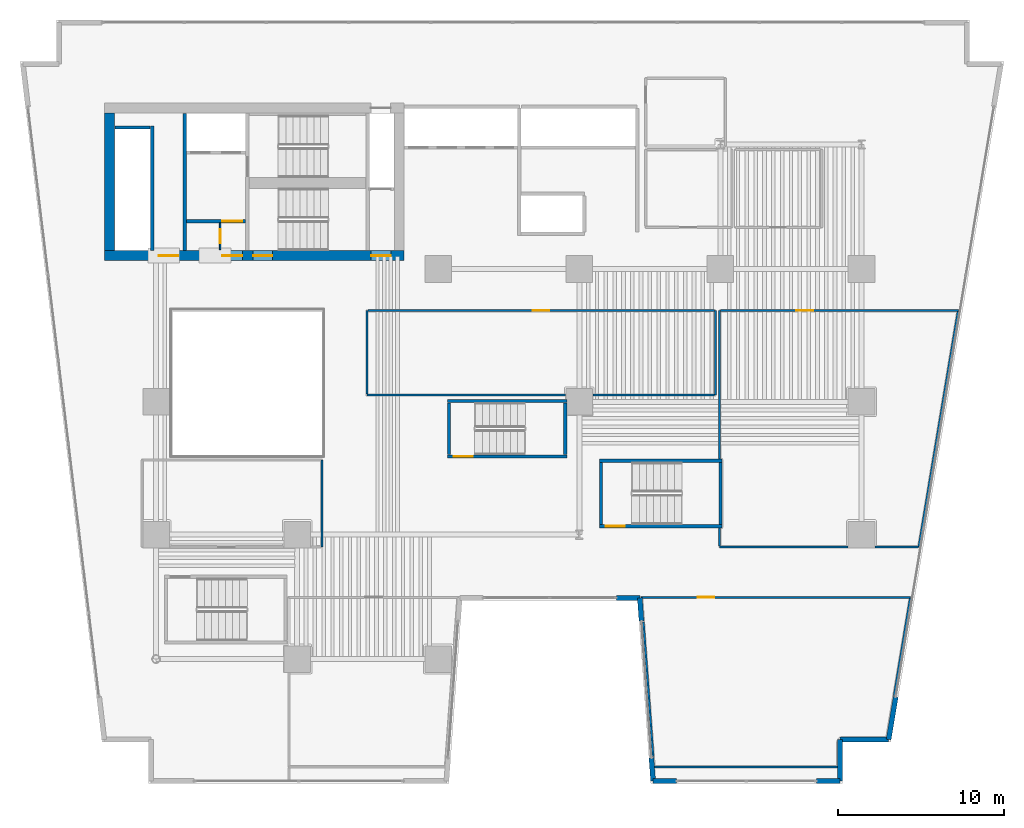
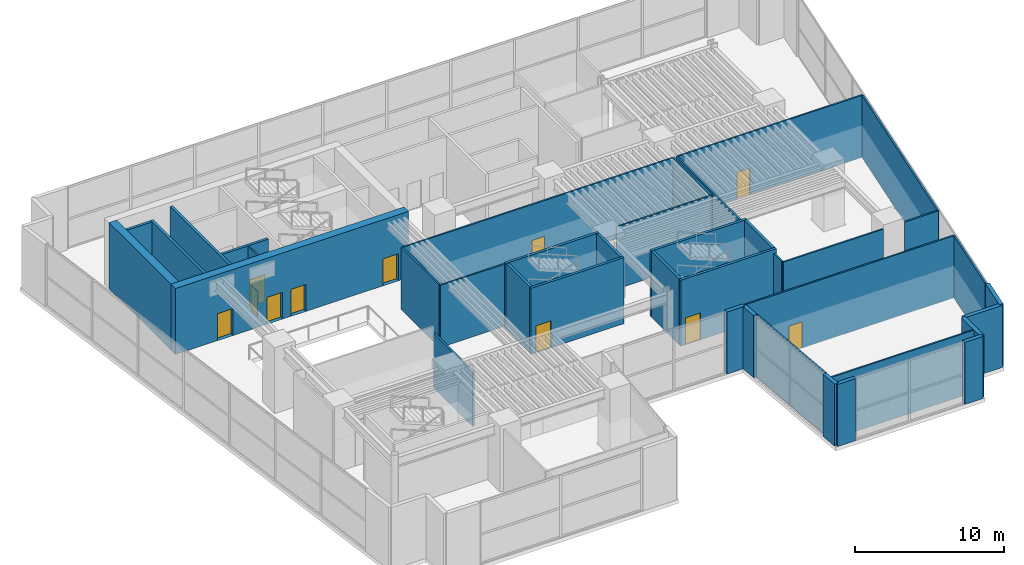
# One storey, part 9 of 16: 39 walls, 11 doors, 11 openings.
"""IFC4 building model written with IfcOpenShell, lengths in metres."""

from ifc_helpers import new_model, si_unit, direction, frame, frame_2d, origin, place, context, subcontext, project, spatial, rectangle, extrude, material, layer, layer_set, type_object, element, fill, save


model = new_model("IFC4")

# Units and contexts
model_context = context("Model", 3, precision=1e-05, world=origin(), true_north=direction((0.0, 1.0)))
body_context = subcontext(model_context, "Body", "Model", "MODEL_VIEW")
ifc_project = project(units=[si_unit("LENGTHUNIT", "METRE"), si_unit("AREAUNIT", "SQUARE_METRE"), si_unit("VOLUMEUNIT", "CUBIC_METRE"), si_unit("PLANEANGLEUNIT", "RADIAN"), si_unit("MASSUNIT", "GRAM", prefix="KILO")], contexts=[model_context])

# Site, building, storey
site_placement = place(None, origin())
site = spatial("IfcSite", under=ifc_project, at=site_placement, CompositionType="ELEMENT")
building_placement = place(site_placement, origin())
building = spatial("IfcBuilding", under=site, at=building_placement, Name="Caeloran Harvest Quay", CompositionType="ELEMENT")
storey_placement = place(building_placement, frame((0.0, 0.0, 10.800048828125)))
storey = spatial("IfcBuildingStorey", under=building, at=storey_placement, Name="L03", CompositionType="ELEMENT", Elevation=10.800048828125)

# Walls
ifc_material_1 = material(Name="Precast concrete C50/60", Category="concrete")
ifc_layer_1 = layer(ifc_material_1, 0.300048828125, Name="Precast concrete C50/60")
ifc_layer_set_1 = layer_set([ifc_layer_1], Name="Precast concrete C50/60")
wall_type_1 = type_object("IfcWallType", Name="ENV-WALL-EW-300", PredefinedType="STANDARD", material=ifc_layer_set_1)
wall_1_placement = place(storey_placement, frame((53.059814453125, 5.214599609375, 0.0), z_axis=(0.0, 0.0, 1.0), x_axis=(-0.164140117583, -0.986437033875, 0.0)))
element("IfcWall", 1, at=wall_1_placement, inside=storey, type_object=wall_type_1, Name="L03 Exterior Facade Corner Pier Wall 9B", PredefinedType="STANDARD", context=body_context, shape_type="SweptSolid", body=[
    extrude(rectangle(XDim=2.599853515625, YDim=0.300048828125, at=frame_2d((1.2998046875, 0.0))), origin(), (0.0, 0.0, 1.0), 5.079833984375),
])
wall_2_placement = place(storey_placement, frame((52.633056640625, 2.64990234375, 0.0), z_axis=(0.0, 0.0, 1.0), x_axis=(-1.0, 0.0, 0.0)))
element("IfcWall", 2, at=wall_2_placement, inside=storey, type_object=wall_type_1, Name="L03 Exterior Precast Concrete Facade Wall 10", PredefinedType="STANDARD", context=body_context, shape_type="SweptSolid", body=[
    extrude(rectangle(XDim=2.93896484375, YDim=0.300048828125, at=frame_2d((1.469482421875, 0.0))), origin(), (0.0, 0.0, 1.0), 5.079833984375),
])
wall_3_placement = place(storey_placement, frame((49.694091796875, 2.64990234375, 0.0), z_axis=(0.0, 0.0, 1.0), x_axis=(0.0, -1.0, 0.0)))
element("IfcWall", 3, at=wall_3_placement, inside=storey, type_object=wall_type_1, Name="L03 Exterior Precast Concrete Facade Wall 11", PredefinedType="STANDARD", context=body_context, shape_type="SweptSolid", body=[
    extrude(rectangle(XDim=2.5, YDim=0.300048828125, at=frame_2d((1.25, 0.0))), origin(), (0.0, 0.0, 1.0), 5.079833984375),
])
wall_4_placement = place(storey_placement, frame((49.694091796875, 0.14990234375, 0.0), z_axis=(0.0, 0.0, 1.0), x_axis=(-1.0, 0.0, 0.0)))
element("IfcWall", 4, at=wall_4_placement, inside=storey, type_object=wall_type_1, Name="L03 Exterior Facade Corner Pier Wall 12A", PredefinedType="STANDARD", context=body_context, shape_type="SweptSolid", body=[
    extrude(rectangle(XDim=1.400146484375, YDim=0.300048828125, at=frame_2d((0.7001953125, 0.0))), origin(), (0.0, 0.0, 1.0), 5.079833984375),
])
wall_5_placement = place(storey_placement, frame((39.843505859375, 0.14990234375, 0.0), z_axis=(0.0, 0.0, 1.0), x_axis=(-1.0, 0.0, 0.0)))
element("IfcWall", 5, at=wall_5_placement, inside=storey, type_object=wall_type_1, Name="L03 Exterior Facade Corner Pier Wall 12B", PredefinedType="STANDARD", context=body_context, shape_type="SweptSolid", body=[
    extrude(rectangle(XDim=1.39990234375, YDim=0.300048828125, at=frame_2d((0.699951171875, 0.0))), origin(), (0.0, 0.0, 1.0), 5.079833984375),
])
wall_6_placement = place(storey_placement, frame((38.443603515625, 0.14990234375, 0.0), z_axis=(0.0, 0.0, 1.0), x_axis=(-0.072362245244, 0.997378416381, 0.0)))
element("IfcWall", 6, at=wall_6_placement, inside=storey, type_object=wall_type_1, Name="L03 Exterior Facade Corner Pier Wall 13A", PredefinedType="STANDARD", context=body_context, shape_type="SweptSolid", body=[
    extrude(rectangle(XDim=1.400146484375, YDim=0.300048828125, at=frame_2d((0.7001953125, 0.0))), origin(), (0.0, 0.0, 1.0), 5.079833984375),
])
wall_7_placement = place(storey_placement, frame((37.74462890625, 9.793701171875, 0.0), z_axis=(0.0, 0.0, 1.0), x_axis=(-0.072201344972, 0.997390077043, 0.0)))
element("IfcWall", 7, at=wall_7_placement, inside=storey, type_object=wall_type_1, Name="L03 Exterior Facade Corner Pier Wall 13B", PredefinedType="STANDARD", context=body_context, shape_type="SweptSolid", body=[
    extrude(rectangle(XDim=1.39990234375, YDim=0.300048828125, at=frame_2d((0.699951171875, 0.0))), origin(), (0.0, 0.0, 1.0), 5.079833984375),
])
wall_8_placement = place(storey_placement, frame((37.6435546875, 11.18994140625, 0.0), z_axis=(0.0, 0.0, 1.0), x_axis=(-1.0, 0.0, 0.0)))
element("IfcWall", 8, at=wall_8_placement, inside=storey, type_object=wall_type_1, Name="L03 Exterior Facade Corner Pier Wall 14A", PredefinedType="STANDARD", context=body_context, shape_type="SweptSolid", body=[
    extrude(rectangle(XDim=1.400146484375, YDim=0.300048828125, at=frame_2d((0.7001953125, 0.0))), origin(), (0.0, 0.0, 1.0), 5.079833984375),
])

# Wall, opening, door
ifc_material_2 = material(Name="Fire-Resisting Gypsum Core Riser Partition", Category="gypsum")
ifc_layer_2 = layer(ifc_material_2, 0.10009765625, Name="Fire-Resisting Gypsum Core Riser Partition")
ifc_layer_set_2 = layer_set([ifc_layer_2], Name="Fire-Resisting Gypsum Core Riser Partition")
wall_type_2 = type_object("IfcWallType", Name="INT-WALL-PW-100", PredefinedType="PARTITIONING", material=ifc_layer_set_2)
wall_9_placement = place(storey_placement, frame((12.360107421875, 32.159912109375, 0.0), z_axis=(0.0, 0.0, 1.0), x_axis=(0.0, 1.0, 0.0)))
wall_9 = element("IfcWall", 9, at=wall_9_placement, inside=storey, type_object=wall_type_2, Name="L03 Core Store Partition Wall", PredefinedType="PARTITIONING", context=body_context, shape_type="SweptSolid", body=[
    extrude(rectangle(XDim=1.6201171875, YDim=0.10009765625, at=frame_2d((0.81005859375, 0.0))), origin(), (0.0, 0.0, 1.0), 5.079833984375),
])
opening_1_placement = place(wall_9_placement, frame((0.3798828125, 0.0, 0.0)))
opening_1 = element("IfcOpeningElement", 10, at=opening_1_placement, cuts=wall_9, Name="Opening SV-01", PredefinedType="OPENING", context=body_context, shape_type="SweptSolid", body=[
    extrude(rectangle(XDim=0.85009765625, YDim=2.10009765625, at=frame_2d((0.425048828125, 1.050048828125))), frame((0.0, 0.06005859375, 0.0), z_axis=(0.0, -1.0, 0.0), x_axis=(1.0, 0.0, 0.0)), (0.0, 0.0, 1.0), 0.1201171875),
])
ifc_material_3 = material(Name="Galvanized Painted Steel", Category="steel")
door_type_1 = type_object("IfcDoorType", Name="INTDOOR-SV-01", OperationType="NOTDEFINED", PredefinedType="DOOR", material=ifc_material_3)
door_1_placement = place(opening_1_placement, origin())
door_1 = element("IfcDoor", 11, at=door_1_placement, inside=storey, type_object=door_type_1, Name="L03 Core Service Room Access Door", OperationType="SINGLE_SWING_RIGHT", OverallHeight=2.10009765625, OverallWidth=0.85009765625, PredefinedType="DOOR", context=body_context, shape_type="SweptSolid", body=[
    extrude(rectangle(XDim=0.85009765625, YDim=2.10009765625, at=frame_2d((0.425048828125, 1.050048828125))), frame((0.0, 0.02490234375, 0.0), z_axis=(0.0, -1.0, 0.0), x_axis=(1.0, 0.0, 0.0)), (0.0, 0.0, 1.0), 0.050048828125),
])
fill(opening_1, door_1)

# Walls
ifc_material_4 = material(Name="Twin-Stud Mineral-Wool Acoustic Gypsum Partition", Category="gypsum")
ifc_layer_3 = layer(ifc_material_4, 0.125, Name="Twin-Stud Mineral-Wool Acoustic Gypsum Partition")
ifc_layer_set_3 = layer_set([ifc_layer_3], Name="Twin-Stud Mineral-Wool Acoustic Gypsum Partition")
wall_type_3 = type_object("IfcWallType", Name="INT-WALL-PW-125", PredefinedType="PARTITIONING", material=ifc_layer_set_3)
wall_10_placement = place(storey_placement, frame((18.5, 19.5, 0.0), z_axis=(0.0, 0.0, 1.0), x_axis=(0.0, -1.0, 0.0)))
element("IfcWall", 12, at=wall_10_placement, inside=storey, type_object=wall_type_3, Name="Harvest Banquet and Tasting Dining Hall Partition Wall", PredefinedType="PARTITIONING", context=body_context, shape_type="SweptSolid", body=[
    extrude(rectangle(XDim=5.25, YDim=0.125, at=frame_2d((2.625, 0.0))), origin(), (0.0, 0.0, 1.0), 4.46484375),
])
wall_11_placement = place(storey_placement, frame((49.5390625, 1.0, 0.0), z_axis=(0.0, 0.0, 1.0), x_axis=(-1.0, 0.0, 0.0)))
element("IfcWall", 13, at=wall_11_placement, inside=storey, type_object=wall_type_3, Name="Farm-to-Table Botanical Bistro Partition Wall", PredefinedType="PARTITIONING", context=body_context, shape_type="SweptSolid", body=[
    extrude(rectangle(XDim=11.001708984375, YDim=0.125, at=frame_2d((5.5009765625, 0.0))), origin(), (0.0, 0.0, 1.0), 5.079833984375),
])
wall_12_placement = place(storey_placement, frame((38.4462890625, 1.62841796875, 0.0), z_axis=(0.0, 0.0, 1.0), x_axis=(-0.072249119519, 0.99738661748, 0.0)))
element("IfcWall", 14, at=wall_12_placement, inside=storey, type_object=wall_type_3, Name="Farm-to-Table Botanical Bistro Partition Wall", PredefinedType="PARTITIONING", context=body_context, shape_type="SweptSolid", body=[
    extrude(rectangle(XDim=8.1201171875, YDim=0.125, at=frame_2d((4.06005859375, 0.0))), origin(), (0.0, 0.0, 1.0), 5.079833984375),
])

# Wall, opening, door
wall_13_placement = place(storey_placement, frame((37.718017578125, 11.219970703125, 0.0), z_axis=(0.0, 0.0, 1.0), x_axis=(1.0, 0.0, 0.0)))
wall_13 = element("IfcWall", 15, at=wall_13_placement, inside=storey, type_object=wall_type_3, Name="Farm-to-Table Botanical Bistro Partition Wall", PredefinedType="PARTITIONING", context=body_context, shape_type="SweptSolid", body=[
    extrude(rectangle(XDim=16.23486328125, YDim=0.125, at=frame_2d((8.117431640625, 0.0))), origin(), (0.0, 0.0, 1.0), 5.079833984375),
])
opening_2_placement = place(wall_13_placement, frame((3.4189453125, 0.0, 0.0)))
opening_2 = element("IfcOpeningElement", 16, at=opening_2_placement, cuts=wall_13, Name="Opening ID-01", PredefinedType="OPENING", context=body_context, shape_type="SweptSolid", body=[
    extrude(rectangle(XDim=1.0, YDim=2.14990234375, at=frame_2d((0.5, 1.074951171875))), frame((0.0, 0.072509765625, 0.0), z_axis=(0.0, -1.0, 0.0), x_axis=(1.0, 0.0, 0.0)), (0.0, 0.0, 1.0), 0.14501953125),
])
ifc_material_5 = material(Name="FSC Solid-Core Ash Timber and Acoustic Seal", Category="wood")
door_type_2 = type_object("IfcDoorType", Name="INTDOOR-ID-01", OperationType="NOTDEFINED", PredefinedType="DOOR", material=ifc_material_5)
door_2_placement = place(opening_2_placement, origin())
door_2 = element("IfcDoor", 17, at=door_2_placement, inside=storey, type_object=door_type_2, Name="Farm-to-Table Botanical Bistro Access Door", OperationType="SINGLE_SWING_LEFT", OverallHeight=2.14990234375, OverallWidth=1.0, PredefinedType="DOOR", context=body_context, shape_type="SweptSolid", body=[
    extrude(rectangle(XDim=1.0, YDim=2.14990234375, at=frame_2d((0.5, 1.074951171875))), frame((0.0, 0.02490234375, 0.0), z_axis=(0.0, -1.0, 0.0), x_axis=(1.0, 0.0, 0.0)), (0.0, 0.0, 1.0), 0.050048828125),
])
fill(opening_2, door_2)

# Walls
wall_14_placement = place(storey_placement, frame((53.936767578125, 11.152587890625, 0.0), z_axis=(0.0, 0.0, 1.0), x_axis=(-0.164151827574, -0.986435085297, 0.0)))
element("IfcWall", 18, at=wall_14_placement, inside=storey, type_object=wall_type_3, Name="Farm-to-Table Botanical Bistro Partition Wall", PredefinedType="PARTITIONING", context=body_context, shape_type="SweptSolid", body=[
    extrude(rectangle(XDim=5.9267578125, YDim=0.125, at=frame_2d((2.96337890625, 0.0))), origin(), (0.0, 0.0, 1.0), 5.079833984375),
])
wall_15_placement = place(storey_placement, frame((42.199951171875, 28.5, 0.0), z_axis=(0.0, 0.0, 1.0), x_axis=(0.0, -1.0, 0.0)))
element("IfcWall", 19, at=wall_15_placement, inside=storey, type_object=wall_type_3, Name="Artisanal Fermentation and Tea Gallery Partition Wall", PredefinedType="PARTITIONING", context=body_context, shape_type="SweptSolid", body=[
    extrude(rectangle(XDim=5.10009765625, YDim=0.125, at=frame_2d((2.550048828125, 0.0))), origin(), (0.0, 0.0, 1.0), 5.079833984375),
])
wall_16_placement = place(storey_placement, frame((42.132568359375, 23.39990234375, 0.0), z_axis=(0.0, 0.0, 1.0), x_axis=(-1.0, 0.0, 0.0)))
element("IfcWall", 20, at=wall_16_placement, inside=storey, type_object=wall_type_3, Name="Artisanal Fermentation and Tea Gallery Partition Wall", PredefinedType="PARTITIONING", context=body_context, shape_type="SweptSolid", body=[
    extrude(rectangle(XDim=7.3076171875, YDim=0.125, at=frame_2d((3.65380859375, 0.0))), origin(), (0.0, 0.0, 1.0), 5.079833984375),
])
wall_17_placement = place(storey_placement, frame((33.175048828125, 23.39990234375, 0.0), z_axis=(0.0, 0.0, 1.0), x_axis=(-1.0, 0.0, 0.0)))
element("IfcWall", 21, at=wall_17_placement, inside=storey, type_object=wall_type_3, Name="Artisanal Fermentation and Tea Gallery Partition Wall", PredefinedType="PARTITIONING", context=body_context, shape_type="SweptSolid", body=[
    extrude(rectangle(XDim=11.97509765625, YDim=0.125, at=frame_2d((5.987548828125, 0.0))), origin(), (0.0, 0.0, 1.0), 5.079833984375),
])
wall_18_placement = place(storey_placement, frame((21.199951171875, 23.467529296875, 0.0), z_axis=(0.0, 0.0, 1.0), x_axis=(0.0, 1.0, 0.0)))
element("IfcWall", 22, at=wall_18_placement, inside=storey, type_object=wall_type_3, Name="Artisanal Fermentation and Tea Gallery Partition Wall", PredefinedType="PARTITIONING", context=body_context, shape_type="SweptSolid", body=[
    extrude(rectangle(XDim=5.032470703125, YDim=0.125, at=frame_2d((2.51611328125, 0.0))), origin(), (0.0, 0.0, 1.0), 5.079833984375),
])

# Wall, opening, door
wall_19_placement = place(storey_placement, frame((21.267578125, 28.5, 0.0), z_axis=(0.0, 0.0, 1.0), x_axis=(1.0, 0.0, 0.0)))
wall_19 = element("IfcWall", 23, at=wall_19_placement, inside=storey, type_object=wall_type_3, Name="Artisanal Fermentation and Tea Gallery Partition Wall", PredefinedType="PARTITIONING", context=body_context, shape_type="SweptSolid", body=[
    extrude(rectangle(XDim=20.864990234375, YDim=0.125, at=frame_2d((10.4326171875, 0.0))), origin(), (0.0, 0.0, 1.0), 5.079833984375),
])
opening_3_placement = place(wall_19_placement, frame((9.9326171875, 0.0, 0.0)))
opening_3 = element("IfcOpeningElement", 24, at=opening_3_placement, cuts=wall_19, Name="Opening ID-01", PredefinedType="OPENING", context=body_context, shape_type="SweptSolid", body=[
    extrude(rectangle(XDim=1.0, YDim=2.14990234375, at=frame_2d((0.5, 1.074951171875))), frame((0.0, 0.072509765625, 0.0), z_axis=(0.0, -1.0, 0.0), x_axis=(1.0, 0.0, 0.0)), (0.0, 0.0, 1.0), 0.14501953125),
])
door_3_placement = place(opening_3_placement, origin())
door_3 = element("IfcDoor", 25, at=door_3_placement, inside=storey, type_object=door_type_2, Name="Artisanal Fermentation and Tea Gallery Access Door", OperationType="SINGLE_SWING_RIGHT", OverallHeight=2.14990234375, OverallWidth=1.0, PredefinedType="DOOR", context=body_context, shape_type="SweptSolid", body=[
    extrude(rectangle(XDim=1.0, YDim=2.14990234375, at=frame_2d((0.5, 1.074951171875))), frame((0.0, 0.02490234375, 0.0), z_axis=(0.0, -1.0, 0.0), x_axis=(1.0, 0.0, 0.0)), (0.0, 0.0, 1.0), 0.050048828125),
])
fill(opening_3, door_3)

# Wall
wall_20_placement = place(storey_placement, frame((42.449951171875, 19.554931640625, 0.0), z_axis=(0.0, 0.0, 1.0), x_axis=(0.0, 1.0, 0.0)))
element("IfcWall", 26, at=wall_20_placement, inside=storey, type_object=wall_type_3, Name="Sommelier Wine and Cold Pantry Partition Wall", PredefinedType="PARTITIONING", context=body_context, shape_type="SweptSolid", body=[
    extrude(rectangle(XDim=8.945068359375, YDim=0.125, at=frame_2d((4.47265625, 0.0))), origin(), (0.0, 0.0, 1.0), 5.079833984375),
])

# Wall, opening, door
wall_21_placement = place(storey_placement, frame((42.517578125, 28.5, 0.0), z_axis=(0.0, 0.0, 1.0), x_axis=(1.0, 0.0, 0.0)))
wall_21 = element("IfcWall", 27, at=wall_21_placement, inside=storey, type_object=wall_type_3, Name="Sommelier Wine and Cold Pantry Partition Wall", PredefinedType="PARTITIONING", context=body_context, shape_type="SweptSolid", body=[
    extrude(rectangle(XDim=14.311279296875, YDim=0.125, at=frame_2d((7.15576171875, 0.0))), origin(), (0.0, 0.0, 1.0), 5.079833984375),
])
opening_4_placement = place(wall_21_placement, frame((4.564208984375, 0.0, 0.0)))
opening_4 = element("IfcOpeningElement", 28, at=opening_4_placement, cuts=wall_21, Name="Opening ID-01", PredefinedType="OPENING", context=body_context, shape_type="SweptSolid", body=[
    extrude(rectangle(XDim=1.0, YDim=2.14990234375, at=frame_2d((0.5, 1.074951171875))), frame((0.0, 0.072509765625, 0.0), z_axis=(0.0, -1.0, 0.0), x_axis=(1.0, 0.0, 0.0)), (0.0, 0.0, 1.0), 0.14501953125),
])
door_4_placement = place(opening_4_placement, origin())
door_4 = element("IfcDoor", 29, at=door_4_placement, inside=storey, type_object=door_type_2, Name="Sommelier Wine and Cold Pantry Access Door", OperationType="SINGLE_SWING_LEFT", OverallHeight=2.14990234375, OverallWidth=1.0, PredefinedType="DOOR", context=body_context, shape_type="SweptSolid", body=[
    extrude(rectangle(XDim=1.0, YDim=2.14990234375, at=frame_2d((0.5, 1.074951171875))), frame((0.0, 0.02490234375, 0.0), z_axis=(0.0, -1.0, 0.0), x_axis=(1.0, 0.0, 0.0)), (0.0, 0.0, 1.0), 0.050048828125),
])
fill(opening_4, door_4)

# Walls
wall_22_placement = place(storey_placement, frame((56.812744140625, 28.4326171875, 0.0), z_axis=(0.0, 0.0, 1.0), x_axis=(-0.16420072603, -0.9864269469, 0.0)))
element("IfcWall", 30, at=wall_22_placement, inside=storey, type_object=wall_type_3, Name="Sommelier Wine and Cold Pantry Partition Wall", PredefinedType="PARTITIONING", context=body_context, shape_type="SweptSolid", body=[
    extrude(rectangle(XDim=14.377685546875, YDim=0.125, at=frame_2d((7.18896484375, 0.0))), origin(), (0.0, 0.0, 1.0), 5.079833984375),
])
wall_23_placement = place(storey_placement, frame((54.42138671875, 14.25, 0.0), z_axis=(0.0, 0.0, 1.0), x_axis=(-1.0, 0.0, 0.0)))
element("IfcWall", 31, at=wall_23_placement, inside=storey, type_object=wall_type_3, Name="Sommelier Wine and Cold Pantry Partition Wall", PredefinedType="PARTITIONING", context=body_context, shape_type="SweptSolid", body=[
    extrude(rectangle(XDim=2.596435546875, YDim=0.125, at=frame_2d((1.29833984375, 0.0))), origin(), (0.0, 0.0, 1.0), 5.079833984375),
])
wall_24_placement = place(storey_placement, frame((50.175048828125, 14.25, 0.0), z_axis=(0.0, 0.0, 1.0), x_axis=(-1.0, 0.0, 0.0)))
element("IfcWall", 32, at=wall_24_placement, inside=storey, type_object=wall_type_3, Name="Sommelier Wine and Cold Pantry Partition Wall", PredefinedType="PARTITIONING", context=body_context, shape_type="SweptSolid", body=[
    extrude(rectangle(XDim=7.72509765625, YDim=0.125, at=frame_2d((3.862548828125, 0.0))), origin(), (0.0, 0.0, 1.0), 5.079833984375),
])
wall_25_placement = place(storey_placement, frame((42.449951171875, 14.3173828125, 0.0), z_axis=(0.0, 0.0, 1.0), x_axis=(0.0, 1.0, 0.0)))
element("IfcWall", 33, at=wall_25_placement, inside=storey, type_object=wall_type_3, Name="Sommelier Wine and Cold Pantry Partition Wall", PredefinedType="PARTITIONING", context=body_context, shape_type="SweptSolid", body=[
    extrude(rectangle(XDim=1.07763671875, YDim=0.125, at=frame_2d((0.538818359375, 0.0))), origin(), (0.0, 0.0, 1.0), 5.079833984375),
])
ifc_material_6 = material(Name="Concrete C50/60", Category="concrete")
ifc_layer_4 = layer(ifc_material_6, 0.199951171875, Name="Concrete C50/60")
ifc_layer_set_4 = layer_set([ifc_layer_4], Name="Concrete C50/60")
wall_type_4 = type_object("IfcWallType", Name="INT-WALL-SW-200", PredefinedType="PARTITIONING", material=ifc_layer_set_4)
wall_26_placement = place(storey_placement, frame((8.260009765625, 32.1201171875, 0.0), z_axis=(0.0, 0.0, 1.0), x_axis=(0.0, 1.0, 0.0)))
element("IfcWall", 34, at=wall_26_placement, inside=storey, type_object=wall_type_4, Name="L03 Bank 3 Lift Shaft Wall", PredefinedType="PARTITIONING", context=body_context, shape_type="SweptSolid", body=[
    extrude(rectangle(XDim=7.5, YDim=0.199951171875, at=frame_2d((3.75, 0.0))), origin(), (0.0, 0.0, 1.0), 5.079833984375),
])
wall_27_placement = place(storey_placement, frame((6.02001953125, 39.52001953125, 0.0), z_axis=(0.0, 0.0, 1.0), x_axis=(1.0, 0.0, 0.0)))
element("IfcWall", 35, at=wall_27_placement, inside=storey, type_object=wall_type_4, Name="L03 Bank 3 Lift Shaft North End Wall", PredefinedType="PARTITIONING", context=body_context, shape_type="SweptSolid", body=[
    extrude(rectangle(XDim=2.119873046875, YDim=0.199951171875, at=frame_2d((1.06005859375, 0.0))), origin(), (0.0, 0.0, 1.0), 5.079833984375),
])
wall_28_placement = place(storey_placement, frame((10.219970703125, 32.1201171875, 0.0), z_axis=(0.0, 0.0, 1.0), x_axis=(0.0, 1.0, 0.0)))
element("IfcWall", 36, at=wall_28_placement, inside=storey, type_object=wall_type_4, Name="L03 Core Lobby Compartment Wall", PredefinedType="PARTITIONING", context=body_context, shape_type="SweptSolid", body=[
    extrude(rectangle(XDim=8.259765625, YDim=0.199951171875, at=frame_2d((4.1298828125, 0.0))), origin(), (0.0, 0.0, 1.0), 5.079833984375),
])

# Wall, opening, door
wall_29_placement = place(storey_placement, frame((10.340087890625, 33.8798828125, 0.0), z_axis=(0.0, 0.0, 1.0), x_axis=(1.0, 0.0, 0.0)))
wall_29 = element("IfcWall", 37, at=wall_29_placement, inside=storey, type_object=wall_type_4, Name="L03 Firefighting Lift Lobby Enclosure Wall", PredefinedType="PARTITIONING", context=body_context, shape_type="SweptSolid", body=[
    extrude(rectangle(XDim=3.559814453125, YDim=0.199951171875, at=frame_2d((1.77978515625, 0.0))), origin(), (0.0, 0.0, 1.0), 5.079833984375),
])
opening_5_placement = place(wall_29_placement, frame((2.14990234375, 0.0, 0.0)))
opening_5 = element("IfcOpeningElement", 38, at=opening_5_placement, cuts=wall_29, Name="Opening FD-01", PredefinedType="OPENING", context=body_context, shape_type="SweptSolid", body=[
    extrude(rectangle(XDim=1.199951171875, YDim=2.199951171875, at=frame_2d((0.60009765625, 1.10009765625))), frame((0.0, 0.10986328125, 0.0), z_axis=(0.0, -1.0, 0.0), x_axis=(1.0, 0.0, 0.0)), (0.0, 0.0, 1.0), 0.219970703125),
])
ifc_material_7 = material(Name="Steel", Category="steel")
door_type_3 = type_object("IfcDoorType", Name="INTDOOR-FD-01", OperationType="NOTDEFINED", PredefinedType="DOOR", material=ifc_material_7)
door_5_placement = place(opening_5_placement, origin())
door_5 = element("IfcDoor", 39, at=door_5_placement, inside=storey, type_object=door_type_3, Name="L03 Firefighting Lift Lobby Smoke-Seal Fire Door", OperationType="SINGLE_SWING_LEFT", OverallHeight=2.199951171875, OverallWidth=1.199951171875, PredefinedType="DOOR", context=body_context, shape_type="SweptSolid", body=[
    extrude(rectangle(XDim=1.199951171875, YDim=2.199951171875, at=frame_2d((0.60009765625, 1.10009765625))), frame((0.0, 0.02490234375, 0.0), z_axis=(0.0, -1.0, 0.0), x_axis=(1.0, 0.0, 0.0)), (0.0, 0.0, 1.0), 0.050048828125),
])
fill(opening_5, door_5)

# Wall, openings, doors
ifc_material_8 = material(Name="Concrete C80/95", Category="concrete")
ifc_layer_5 = layer(ifc_material_8, 0.60009765625, Name="Concrete C80/95")
ifc_layer_set_5 = layer_set([ifc_layer_5], Name="Concrete C80/95")
wall_type_5 = type_object("IfcWallType", Name="STR-WALL-CW-600", PredefinedType="SHEAR", material=ifc_layer_set_5)
wall_30_placement = place(storey_placement, frame((5.39990234375, 31.800048828125, 0.0), z_axis=(0.0, 0.0, 1.0), x_axis=(1.0, 0.0, 0.0)))
wall_30 = element("IfcWall", 40, at=wall_30_placement, inside=storey, type_object=wall_type_5, Name="L03 Rear Core Shear Wall S", PredefinedType="SHEAR", context=body_context, shape_type="SweptSolid", body=[
    extrude(rectangle(XDim=18.050048828125, YDim=0.60009765625, at=frame_2d((9.02490234375, 0.0))), origin(), (0.0, 0.0, 1.0), 5.39990234375),
])
opening_6_placement = place(wall_30_placement, frame((3.25, 0.0, 0.0)))
opening_6 = element("IfcOpeningElement", 41, at=opening_6_placement, cuts=wall_30, Name="Opening FD-01", PredefinedType="OPENING", context=body_context, shape_type="SweptSolid", body=[
    extrude(rectangle(XDim=1.199951171875, YDim=2.199951171875, at=frame_2d((0.60009765625, 1.10009765625))), frame((0.0, 0.31005859375, 0.0), z_axis=(0.0, -1.0, 0.0), x_axis=(1.0, 0.0, 0.0)), (0.0, 0.0, 1.0), 0.6201171875),
])
opening_7_placement = place(wall_30_placement, frame((7.10009765625, 0.0, 0.0)))
opening_7 = element("IfcOpeningElement", 42, at=opening_7_placement, cuts=wall_30, Name="Opening FD-01", PredefinedType="OPENING", context=body_context, shape_type="SweptSolid", body=[
    extrude(rectangle(XDim=1.199951171875, YDim=2.199951171875, at=frame_2d((0.60009765625, 1.10009765625))), frame((0.0, 0.31005859375, 0.0), z_axis=(0.0, -1.0, 0.0), x_axis=(1.0, 0.0, 0.0)), (0.0, 0.0, 1.0), 0.6201171875),
])
opening_8_placement = place(wall_30_placement, frame((8.949951171875, 0.0, 0.0)))
opening_8 = element("IfcOpeningElement", 43, at=opening_8_placement, cuts=wall_30, Name="Opening SD-01", PredefinedType="OPENING", context=body_context, shape_type="SweptSolid", body=[
    extrude(rectangle(XDim=1.14990234375, YDim=2.199951171875, at=frame_2d((0.574951171875, 1.10009765625))), frame((0.0, 0.31005859375, 0.0), z_axis=(0.0, -1.0, 0.0), x_axis=(1.0, 0.0, 0.0)), (0.0, 0.0, 1.0), 0.6201171875),
])
opening_9_placement = place(wall_30_placement, frame((16.050048828125, 0.0, 0.0)))
opening_9 = element("IfcOpeningElement", 44, at=opening_9_placement, cuts=wall_30, Name="Opening FD-01", PredefinedType="OPENING", context=body_context, shape_type="SweptSolid", body=[
    extrude(rectangle(XDim=1.199951171875, YDim=2.199951171875, at=frame_2d((0.60009765625, 1.10009765625))), frame((0.0, 0.31005859375, 0.0), z_axis=(0.0, -1.0, 0.0), x_axis=(1.0, 0.0, 0.0)), (0.0, 0.0, 1.0), 0.6201171875),
])
door_6_placement = place(opening_6_placement, origin())
door_6 = element("IfcDoor", 45, at=door_6_placement, inside=storey, type_object=door_type_3, Name="L03 High-Rise Lift Lobby Fire Door", OperationType="SINGLE_SWING_LEFT", OverallHeight=2.199951171875, OverallWidth=1.199951171875, PredefinedType="DOOR", context=body_context, shape_type="SweptSolid", body=[
    extrude(rectangle(XDim=1.199951171875, YDim=2.199951171875, at=frame_2d((0.60009765625, 1.10009765625))), frame((0.0, 0.02490234375, 0.0), z_axis=(0.0, -1.0, 0.0), x_axis=(1.0, 0.0, 0.0)), (0.0, 0.0, 1.0), 0.050048828125),
])
fill(opening_6, door_6)
door_7_placement = place(opening_7_placement, origin())
door_7 = element("IfcDoor", 46, at=door_7_placement, inside=storey, type_object=door_type_3, Name="L03 Firefighting Lobby Vestibule Fire Door", OperationType="SINGLE_SWING_RIGHT", OverallHeight=2.199951171875, OverallWidth=1.199951171875, PredefinedType="DOOR", context=body_context, shape_type="SweptSolid", body=[
    extrude(rectangle(XDim=1.199951171875, YDim=2.199951171875, at=frame_2d((0.60009765625, 1.10009765625))), frame((0.0, 0.02490234375, 0.0), z_axis=(0.0, -1.0, 0.0), x_axis=(1.0, 0.0, 0.0)), (0.0, 0.0, 1.0), 0.050048828125),
])
fill(opening_7, door_7)
door_8_placement = place(opening_9_placement, origin())
door_8 = element("IfcDoor", 47, at=door_8_placement, inside=storey, type_object=door_type_3, Name="L03 Service Lift Lobby Fire Door", OperationType="SINGLE_SWING_RIGHT", OverallHeight=2.199951171875, OverallWidth=1.199951171875, PredefinedType="DOOR", context=body_context, shape_type="SweptSolid", body=[
    extrude(rectangle(XDim=1.199951171875, YDim=2.199951171875, at=frame_2d((0.60009765625, 1.10009765625))), frame((0.0, 0.02490234375, 0.0), z_axis=(0.0, -1.0, 0.0), x_axis=(1.0, 0.0, 0.0)), (0.0, 0.0, 1.0), 0.050048828125),
])
fill(opening_9, door_8)
door_type_4 = type_object("IfcDoorType", Name="INTDOOR-SD-01", OperationType="NOTDEFINED", PredefinedType="DOOR", material=ifc_material_7)
door_9_placement = place(opening_8_placement, origin())
door_9 = element("IfcDoor", 48, at=door_9_placement, inside=storey, type_object=door_type_4, Name="L03 Protected Stair ST-C2 Exit Door", OperationType="SINGLE_SWING_LEFT", OverallHeight=2.199951171875, OverallWidth=1.14990234375, PredefinedType="DOOR", context=body_context, shape_type="SweptSolid", body=[
    extrude(rectangle(XDim=1.14990234375, YDim=2.199951171875, at=frame_2d((0.574951171875, 1.10009765625))), frame((0.0, 0.02490234375, 0.0), z_axis=(0.0, -1.0, 0.0), x_axis=(1.0, 0.0, 0.0)), (0.0, 0.0, 1.0), 0.050048828125),
])
fill(opening_8, door_9)

# Wall
wall_31_placement = place(storey_placement, frame((5.699951171875, 32.10009765625, 0.0), z_axis=(0.0, 0.0, 1.0), x_axis=(0.0, 1.0, 0.0)))
element("IfcWall", 49, at=wall_31_placement, inside=storey, type_object=wall_type_5, Name="L03 Rear Core Shear Wall W", PredefinedType="SHEAR", context=body_context, shape_type="SweptSolid", body=[
    extrude(rectangle(XDim=8.2998046875, YDim=0.60009765625, at=frame_2d((4.14990234375, 0.0))), origin(), (0.0, 0.0, 1.0), 5.39990234375),
])

# Wall, opening, door
ifc_material_9 = material(Name="Concrete C60/75", Category="concrete")
ifc_layer_6 = layer(ifc_material_9, 0.199951171875, Name="Concrete C60/75")
ifc_layer_set_6 = layer_set([ifc_layer_6], Name="Concrete C60/75")
wall_type_6 = type_object("IfcWallType", Name="STR-WALL-SW-200", PredefinedType="SHEAR", material=ifc_layer_set_6)
wall_32_placement = place(storey_placement, frame((26.050048828125, 19.699951171875, 0.0), z_axis=(0.0, 0.0, 1.0), x_axis=(1.0, 0.0, 0.0)))
wall_32 = element("IfcWall", 50, at=wall_32_placement, inside=storey, type_object=wall_type_6, Name="L03 Stair ST-W1 S RC Shaft Shear Wall", PredefinedType="SHEAR", context=body_context, shape_type="SweptSolid", body=[
    extrude(rectangle(XDim=7.199951171875, YDim=0.199951171875, at=frame_2d((3.60009765625, 0.0))), origin(), (0.0, 0.0, 1.0), 5.39990234375),
])
opening_10_placement = place(wall_32_placement, frame((0.3798828125, 0.0, 0.0)))
opening_10 = element("IfcOpeningElement", 51, at=opening_10_placement, cuts=wall_32, Name="Opening SD-01", PredefinedType="OPENING", context=body_context, shape_type="SweptSolid", body=[
    extrude(rectangle(XDim=1.14990234375, YDim=2.199951171875, at=frame_2d((0.574951171875, 1.10009765625))), frame((0.0, 0.10986328125, 0.0), z_axis=(0.0, -1.0, 0.0), x_axis=(1.0, 0.0, 0.0)), (0.0, 0.0, 1.0), 0.219970703125),
])
door_10_placement = place(opening_10_placement, origin())
door_10 = element("IfcDoor", 52, at=door_10_placement, inside=storey, type_object=door_type_4, Name="L03 Protected Exit Stair ST-W1 Fire Door", OperationType="SINGLE_SWING_RIGHT", OverallHeight=2.199951171875, OverallWidth=1.14990234375, PredefinedType="DOOR", context=body_context, shape_type="SweptSolid", body=[
    extrude(rectangle(XDim=1.14990234375, YDim=2.199951171875, at=frame_2d((0.574951171875, 1.10009765625))), frame((0.0, 0.02490234375, 0.0), z_axis=(0.0, -1.0, 0.0), x_axis=(1.0, 0.0, 0.0)), (0.0, 0.0, 1.0), 0.050048828125),
])
fill(opening_10, door_10)

# Walls
wall_33_placement = place(storey_placement, frame((26.050048828125, 23.050048828125, 0.0), z_axis=(0.0, 0.0, 1.0), x_axis=(1.0, 0.0, 0.0)))
element("IfcWall", 53, at=wall_33_placement, inside=storey, type_object=wall_type_6, Name="L03 Stair ST-W1 N RC Shaft Shear Wall", PredefinedType="SHEAR", context=body_context, shape_type="SweptSolid", body=[
    extrude(rectangle(XDim=7.199951171875, YDim=0.199951171875, at=frame_2d((3.60009765625, 0.0))), origin(), (0.0, 0.0, 1.0), 5.39990234375),
])
for number, where, z_axis, x_axis, name in (
    (54, (26.14990234375, 19.81005859375, 0.0), (0.0, 0.0, 1.0), (0.0, 1.0, 0.0), "L03 Stair ST-W1 W RC Shaft Shear Wall"),
    (55, (33.14990234375, 19.81005859375, 0.0), (0.0, 0.0, 1.0), (0.0, 1.0, 0.0), "L03 Stair ST-W1 E RC Shaft Shear Wall"),
):
    element("IfcWall", number, at=place(storey_placement, frame(where, z_axis=z_axis, x_axis=x_axis)), inside=storey, type_object=wall_type_6, Name=name, PredefinedType="SHEAR", context=body_context, shape_type="SweptSolid", body=[
        extrude(rectangle(XDim=3.1298828125, YDim=0.199951171875, at=frame_2d((1.56494140625, 0.0))), origin(), (0.0, 0.0, 1.0), 5.39990234375),
    ])

# Wall, opening, door
wall_34_placement = place(storey_placement, frame((35.199951171875, 15.5, 0.0), z_axis=(0.0, 0.0, 1.0), x_axis=(1.0, 0.0, 0.0)))
wall_34 = element("IfcWall", 56, at=wall_34_placement, inside=storey, type_object=wall_type_6, Name="L03 Stair ST-P2 S RC Shaft Shear Wall", PredefinedType="SHEAR", context=body_context, shape_type="SweptSolid", body=[
    extrude(rectangle(XDim=7.400146484375, YDim=0.199951171875, at=frame_2d((3.7001953125, 0.0))), origin(), (0.0, 0.0, 1.0), 5.39990234375),
])
opening_11_placement = place(wall_34_placement, frame((0.3798828125, 0.0, 0.0)))
opening_11 = element("IfcOpeningElement", 57, at=opening_11_placement, cuts=wall_34, Name="Opening SD-01", PredefinedType="OPENING", context=body_context, shape_type="SweptSolid", body=[
    extrude(rectangle(XDim=1.14990234375, YDim=2.199951171875, at=frame_2d((0.574951171875, 1.10009765625))), frame((0.0, 0.10986328125, 0.0), z_axis=(0.0, -1.0, 0.0), x_axis=(1.0, 0.0, 0.0)), (0.0, 0.0, 1.0), 0.219970703125),
])
door_11_placement = place(opening_11_placement, origin())
door_11 = element("IfcDoor", 58, at=door_11_placement, inside=storey, type_object=door_type_4, Name="L03 Protected Exit Stair ST-P2 Fire Door", OperationType="SINGLE_SWING_RIGHT", OverallHeight=2.199951171875, OverallWidth=1.14990234375, PredefinedType="DOOR", context=body_context, shape_type="SweptSolid", body=[
    extrude(rectangle(XDim=1.14990234375, YDim=2.199951171875, at=frame_2d((0.574951171875, 1.10009765625))), frame((0.0, 0.02490234375, 0.0), z_axis=(0.0, -1.0, 0.0), x_axis=(1.0, 0.0, 0.0)), (0.0, 0.0, 1.0), 0.050048828125),
])
fill(opening_11, door_11)

# Walls
wall_35_placement = place(storey_placement, frame((35.199951171875, 19.449951171875, 0.0), z_axis=(0.0, 0.0, 1.0), x_axis=(1.0, 0.0, 0.0)))
element("IfcWall", 59, at=wall_35_placement, inside=storey, type_object=wall_type_6, Name="L03 Stair ST-P2 N RC Shaft Shear Wall", PredefinedType="SHEAR", context=body_context, shape_type="SweptSolid", body=[
    extrude(rectangle(XDim=7.400146484375, YDim=0.199951171875, at=frame_2d((3.7001953125, 0.0))), origin(), (0.0, 0.0, 1.0), 5.39990234375),
])
for number, where, z_axis, x_axis, name in (
    (60, (35.300048828125, 15.610107421875, 0.0), (0.0, 0.0, 1.0), (0.0, 1.0, 0.0), "L03 Stair ST-P2 W RC Shaft Shear Wall"),
    (61, (42.5, 15.610107421875, 0.0), (0.0, 0.0, 1.0), (0.0, 1.0, 0.0), "L03 Stair ST-P2 E RC Shaft Shear Wall"),
):
    element("IfcWall", number, at=place(storey_placement, frame(where, z_axis=z_axis, x_axis=x_axis)), inside=storey, type_object=wall_type_6, Name=name, PredefinedType="SHEAR", context=body_context, shape_type="SweptSolid", body=[
        extrude(rectangle(XDim=3.72998046875, YDim=0.199951171875, at=frame_2d((1.864990234375, 0.0))), origin(), (0.0, 0.0, 1.0), 5.39990234375),
    ])

save(model, "model.ifc")
